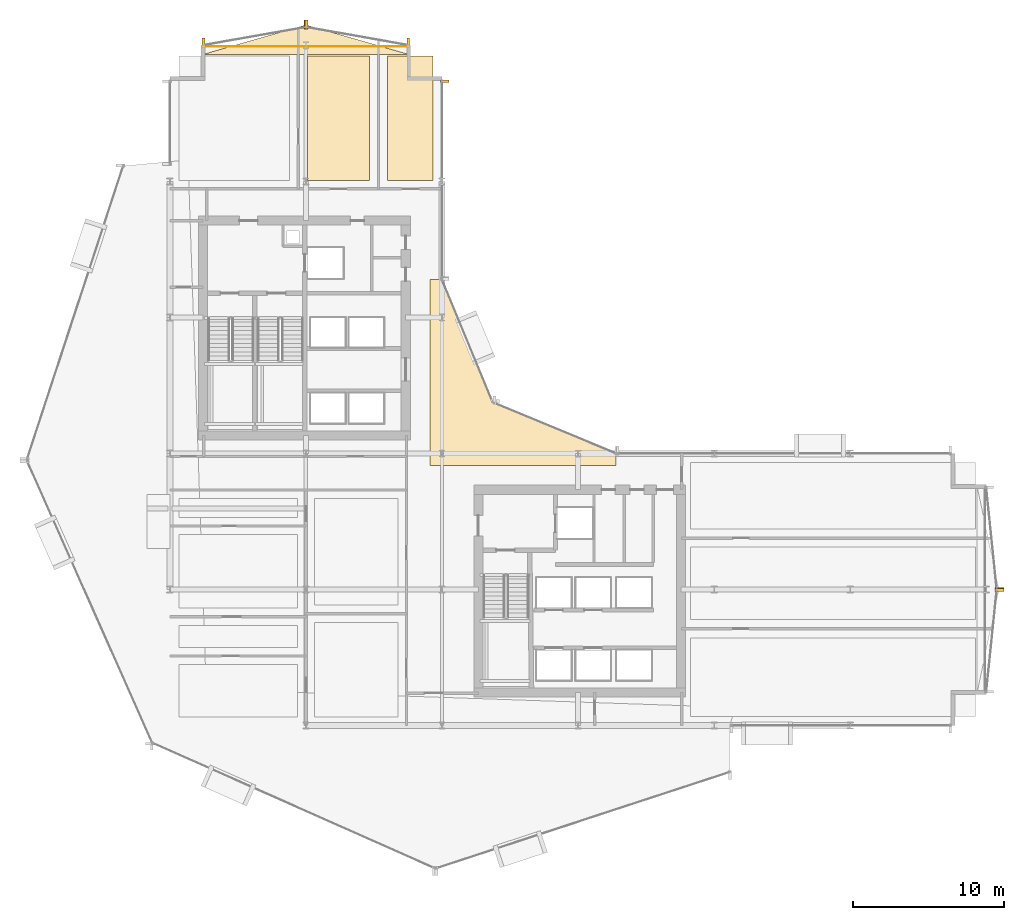
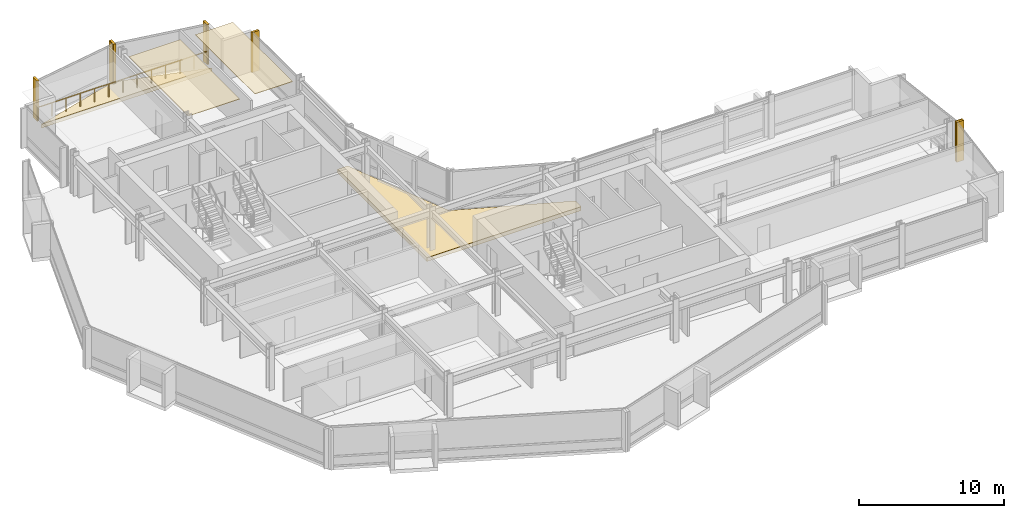
# One storey, part 34 of 34: 11 coverings, 1 railing.
"""IFC4 building model written with IfcOpenShell, lengths in metres."""

from ifc_helpers import new_model, si_unit, direction, frame, origin, origin_2d, place, context, subcontext, project, spatial, polyline, rectangle, circle, outline, extrude, material, layer, layer_set, type_object, element, save


model = new_model("IFC4")

# Units and contexts
model_context = context("Model", 3, precision=1e-05, world=origin(), true_north=direction((0.0, 1.0)))
body_context = subcontext(model_context, "Body", "Model", "MODEL_VIEW")
ifc_project = project(units=[si_unit("LENGTHUNIT", "METRE"), si_unit("AREAUNIT", "SQUARE_METRE"), si_unit("VOLUMEUNIT", "CUBIC_METRE"), si_unit("PLANEANGLEUNIT", "RADIAN"), si_unit("MASSUNIT", "GRAM", prefix="KILO")], contexts=[model_context])

# Site, building, storey
site_placement = place(None, origin())
site = spatial("IfcSite", under=ifc_project, at=site_placement, CompositionType="ELEMENT")
building_placement = place(site_placement, origin())
building = spatial("IfcBuilding", under=site, at=building_placement, Name="Solvaryn Broadcast Tower", CompositionType="ELEMENT")
storey_placement = place(building_placement, frame((0.0, 0.0, 96.5)))
storey = spatial("IfcBuildingStorey", under=building, at=storey_placement, Name="L23", CompositionType="ELEMENT", Elevation=96.5)

# Coverings
ifc_material_1 = material(Name="Micro-Perforated Acoustic Gypsum Ceiling", Category="concrete")
ifc_layer_1 = layer(ifc_material_1, 0.0400390625)
ifc_layer_set_1 = layer_set([ifc_layer_1], Name="CV-CEIL-ACOUSTIC")
covering_type_1 = type_object("IfcCoveringType", Name="CV-CEIL-ACOUSTIC", PredefinedType="CEILING", material=ifc_layer_set_1)
covering_1_placement = place(storey_placement, frame((0.0, 0.0, 3.330078125)))
element("IfcCovering", 1, at=covering_1_placement, inside=storey, type_object=covering_type_1, Name="L23 Room Acoustic Ceiling 8", PredefinedType="CEILING", context=body_context, shape_type="SweptSolid", body=[
    extrude(outline(polyline([(18.10009765625, 45.070068359375), (22.199951171875, 45.070068359375), (22.199951171875, 53.300048828125), (18.10009765625, 53.300048828125), (18.10009765625, 45.070068359375)])), origin(), (0.0, 0.0, 1.0), 0.0400390625),
])
covering_2_placement = place(storey_placement, frame((0.0, 0.0, 3.330078125)))
element("IfcCovering", 2, at=covering_2_placement, inside=storey, type_object=covering_type_1, Name="L23 Room Acoustic Ceiling 9", PredefinedType="CEILING", context=body_context, shape_type="SweptSolid", body=[
    extrude(outline(polyline([(23.39990234375, 45.070068359375), (26.39990234375, 45.070068359375), (26.39990234375, 53.300048828125), (23.39990234375, 53.300048828125), (23.39990234375, 45.070068359375)])), origin(), (0.0, 0.0, 1.0), 0.0400390625),
])
ifc_material_2 = material(Name="Extruded Architectural Terracotta Fin", Category="masonry")
ifc_layer_2 = layer(ifc_material_2, 0.179931640625)
ifc_layer_set_2 = layer_set([ifc_layer_2], Name="CV-TC-FIN")
covering_type_2 = type_object("IfcCoveringType", Name="CV-TC-FIN", PredefinedType="USERDEFINED", material=ifc_layer_set_2)
covering_3_placement = place(storey_placement, frame((27.1875, 51.6201171875, 0.0), z_axis=(0.0, 0.0, 1.0), x_axis=(1.0, 0.0, 0.0)))
element("IfcCovering", 3, at=covering_3_placement, inside=storey, type_object=covering_type_2, Name="L23 Terracotta Vertical Fin FIN-L23-IV-M00", ObjectType="FIN", PredefinedType="USERDEFINED", context=body_context, shape_type="SweptSolid", body=[
    extrude(rectangle(XDim=0.580078125, YDim=0.179931640625, at=origin_2d()), origin(), (0.0, 0.0, 1.0), 3.3701171875),
])
for number, where, z_axis, x_axis, name in (
    (4, (24.7705078125, 54.192626953125, 0.0), (0.0, 0.0, 1.0), (1.0, 0.0, 0.0), "L23 Terracotta Vertical Fin FIN-L23-NT1-M00"),
    (5, (18.029541015625, 55.38232421875, 0.0), (0.0, 0.0, 1.0), (1.0, 0.0, 0.0), "L23 Terracotta Vertical Fin FIN-L23-NT1-M01"),
    (6, (17.970458984375, 55.38232421875, 0.0), (0.0, 0.0, 1.0), (1.0, 0.0, 0.0), "L23 Terracotta Vertical Fin FIN-L23-NT2-M00"),
    (7, (11.2294921875, 54.192626953125, 0.0), (0.0, 0.0, 1.0), (1.0, 0.0, 0.0), "L23 Terracotta Vertical Fin FIN-L23-NT2-M01"),
):
    element("IfcCovering", number, at=place(storey_placement, frame(where, z_axis=z_axis, x_axis=x_axis)), inside=storey, type_object=covering_type_2, Name=name, ObjectType="FIN", PredefinedType="USERDEFINED", context=body_context, shape_type="SweptSolid", body=[
        extrude(rectangle(XDim=0.179931640625, YDim=0.580078125, at=origin_2d()), origin(), (0.0, 0.0, 1.0), 3.3701171875),
    ])
for number, where, z_axis, x_axis, name in (
    (8, (63.884521484375, 18.02978515625, 0.0), (0.0, 0.0, 1.0), (1.0, 0.0, 0.0), "L23 Terracotta Vertical Fin FIN-L23-ET1-M01"),
    (9, (63.884521484375, 17.97021484375, 0.0), (0.0, 0.0, 1.0), (1.0, 0.0, 0.0), "L23 Terracotta Vertical Fin FIN-L23-ET2-M00"),
):
    element("IfcCovering", number, at=place(storey_placement, frame(where, z_axis=z_axis, x_axis=x_axis)), inside=storey, type_object=covering_type_2, Name=name, ObjectType="FIN", PredefinedType="USERDEFINED", context=body_context, shape_type="SweptSolid", body=[
        extrude(rectangle(XDim=0.580078125, YDim=0.179931640625, at=origin_2d()), origin(), (0.0, 0.0, 1.0), 3.3701171875),
    ])
ifc_material_3 = material(Name="Sculpted Architectural Terracotta Wave Fascia", Category="masonry")
ifc_layer_3 = layer(ifc_material_3, 0.340087890625)
ifc_layer_set_3 = layer_set([ifc_layer_3], Name="CV-WAVE-TRAY")
covering_type_3 = type_object("IfcCoveringType", Name="CV-WAVE-TRAY", PredefinedType="CLADDING", material=ifc_layer_set_3)
covering_4_placement = place(storey_placement, frame((0.0, 0.0, -0.300048828125)))
element("IfcCovering", 10, at=covering_4_placement, inside=storey, type_object=covering_type_3, Name="L23 Concave Canyon Floor Apron", PredefinedType="CLADDING", context=body_context, shape_type="SweptSolid", body=[
    extrude(outline(polyline([(26.199951171875, 26.199951171875), (38.5, 26.199951171875), (38.5, 27.0), (30.367919921875, 30.367919921875), (27.0, 38.5), (26.199951171875, 38.5), (26.199951171875, 26.199951171875)])), origin(), (0.0, 0.0, 1.0), 0.330078125),
])
covering_5_placement = place(storey_placement, frame((0.0, 0.0, -0.300048828125)))
element("IfcCovering", 11, at=covering_5_placement, inside=storey, type_object=covering_type_3, Name="L23 North Curved Wing Deck", PredefinedType="CLADDING", context=body_context, shape_type="SweptSolid", body=[
    extrude(outline(polyline([(11.199951171875, 53.39990234375), (24.800048828125, 53.39990234375), (18.0, 55.35009765625), (11.199951171875, 53.39990234375)])), origin(), (0.0, 0.0, 1.0), 0.330078125),
])

# Railing
ifc_material_4 = material(Name="Stainless Steel and Laminated Glass Guard", Category="steel")
railing_type = type_object("IfcRailingType", Name="RL-TER-1150", PredefinedType="BALUSTRADE", material=ifc_material_4)
railing_placement = place(storey_placement, frame((11.199951171875, 53.919921875, 0.0)))
element("IfcRailing", 12, at=railing_placement, inside=storey, type_object=railing_type, Name="L23 North Wing Spandrel Edge Guard", PredefinedType="BALUSTRADE", context=body_context, shape_type="SweptSolid", body=[
    extrude(circle(Radius=0.02392578125, at=origin_2d()), frame((0.0, 0.0, 1.1259765625), z_axis=(1.0, 0.0, 0.0), x_axis=(0.0, 1.0, 0.0)), (0.0, 0.0, 1.0), 13.60009765625),
    extrude(circle(Radius=0.02099609375, at=origin_2d()), origin(), (0.0, 0.0, 1.0), 1.101806640625),
    extrude(circle(Radius=0.02099609375, at=origin_2d()), frame((1.13330078125, 0.0, 0.0)), (0.0, 0.0, 1.0), 1.101806640625),
    extrude(circle(Radius=0.02099609375, at=origin_2d()), frame((2.2666015625, 0.0, 0.0)), (0.0, 0.0, 1.0), 1.101806640625),
    extrude(circle(Radius=0.02099609375, at=origin_2d()), frame((3.39990234375, 0.0, 0.0)), (0.0, 0.0, 1.0), 1.101806640625),
    extrude(circle(Radius=0.02099609375, at=origin_2d()), frame((4.533447265625, 0.0, 0.0)), (0.0, 0.0, 1.0), 1.101806640625),
    extrude(circle(Radius=0.02099609375, at=origin_2d()), frame((5.666748046875, 0.0, 0.0)), (0.0, 0.0, 1.0), 1.101806640625),
    extrude(circle(Radius=0.02099609375, at=origin_2d()), frame((6.800048828125, 0.0, 0.0)), (0.0, 0.0, 1.0), 1.101806640625),
    extrude(circle(Radius=0.02099609375, at=origin_2d()), frame((7.933349609375, 0.0, 0.0)), (0.0, 0.0, 1.0), 1.101806640625),
    extrude(circle(Radius=0.02099609375, at=origin_2d()), frame((9.066650390625, 0.0, 0.0)), (0.0, 0.0, 1.0), 1.101806640625),
    extrude(circle(Radius=0.02099609375, at=origin_2d()), frame((10.2001953125, 0.0, 0.0)), (0.0, 0.0, 1.0), 1.101806640625),
    extrude(circle(Radius=0.02099609375, at=origin_2d()), frame((11.33349609375, 0.0, 0.0)), (0.0, 0.0, 1.0), 1.101806640625),
    extrude(circle(Radius=0.02099609375, at=origin_2d()), frame((12.466796875, 0.0, 0.0)), (0.0, 0.0, 1.0), 1.101806640625),
    extrude(circle(Radius=0.02099609375, at=origin_2d()), frame((13.60009765625, 0.0, 0.0)), (0.0, 0.0, 1.0), 1.101806640625),
])

save(model, "model.ifc")
